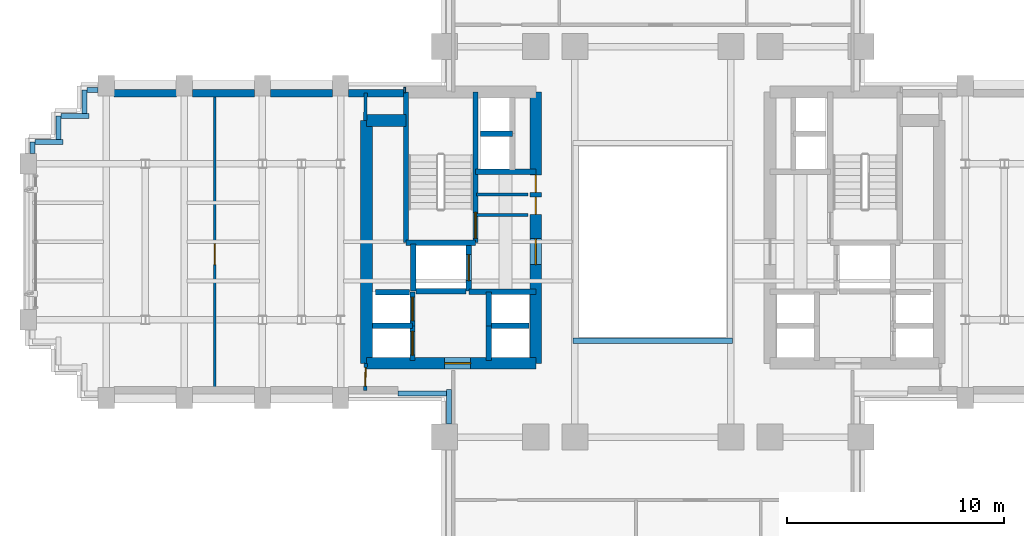
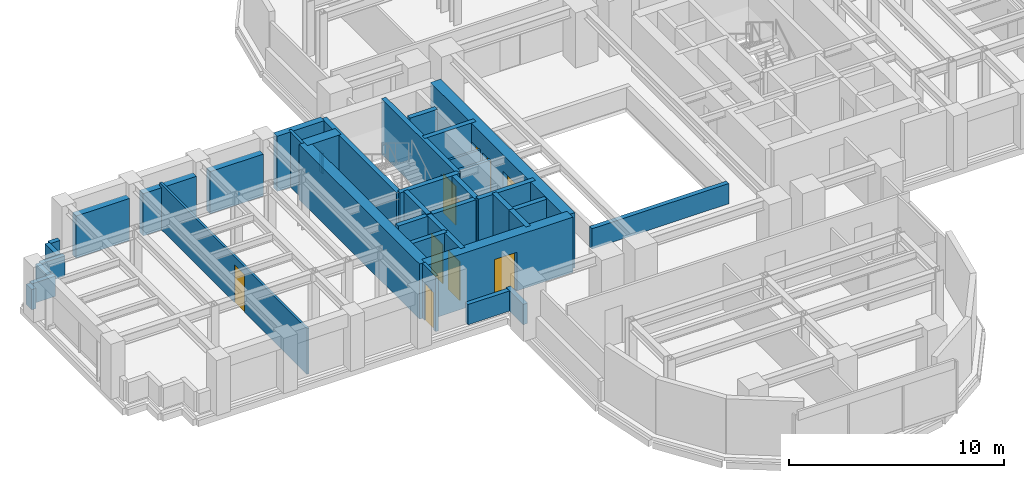
# One storey, part 10 of 16: 39 walls, 10 doors, 10 openings.
"""IFC4 building model written with IfcOpenShell, lengths in metres."""

import ifcopenshell
import ifcopenshell.guid

model = None  # the IFC model being written
_history = None  # IfcOwnerHistory: only IFC2X3 demands one
_inside = {}  # id of a spatial element -> (the spatial element, [elements in it])
_under = {}  # id of a project, library or spatial element -> (it, [spatial elements below it])
_declared = {}  # id of a project -> (the project, [libraries it declares])
_typed = {}  # id of a type object -> (the type object, [elements of that type])
_made_of = {}  # id of a material, layer set ... -> (it, [elements and type objects made of it])


def new_model(schema):
    """Start an empty IFC model of exactly this schema.

    Asked for "IFC4X3", IfcOpenShell would pick the latest addendum, in which some entities
    have other attributes; the version numbers below select the first issue.
    IFC2X3 requires an IfcOwnerHistory on every rooted entity: one is made here for all.
    """
    global model, _history
    if schema == "IFC4X3":
        model = ifcopenshell.file(schema_version=(4, 3, 0, 0))
    else:
        model = ifcopenshell.file(schema=schema)
    _inside.clear()
    _under.clear()
    _declared.clear()
    _typed.clear()
    _made_of.clear()
    _history = None
    if model.schema == "IFC2X3":
        org = make("IfcOrganization", Name="unknown")
        user = make(
            "IfcPersonAndOrganization",
            ThePerson=make("IfcPerson", FamilyName="unknown"),
            TheOrganization=org,
        )
        app = make(
            "IfcApplication",
            ApplicationDeveloper=org,
            Version="unknown",
            ApplicationFullName="unknown",
            ApplicationIdentifier="unknown",
        )
        _history = make(
            "IfcOwnerHistory",
            OwningUser=user,
            OwningApplication=app,
            ChangeAction="ADDED",
            CreationDate=0,
        )
    return model


def make(cls, **values):
    """One entity of the class cls with the attributes given. An attribute that is None is left unset."""
    return model.create_entity(
        cls, **{name: value for name, value in values.items() if value is not None}
    )


def rooted(cls, **values):
    """An entity with a GlobalId (a new one), such as an element, a storey or a relation."""
    return make(cls, GlobalId=ifcopenshell.guid.new(), OwnerHistory=_history, **values)


def si_unit(unit_type, name, prefix=None):
    """IfcSIUnit, for example si_unit("LENGTHUNIT", "METRE", prefix="MILLI")."""
    return make("IfcSIUnit", UnitType=unit_type, Prefix=prefix, Name=name)


def assignment(units):
    """IfcUnitAssignment: the units of a project."""
    return None if units is None else make("IfcUnitAssignment", Units=units)


def point(xyz):
    """IfcCartesianPoint."""
    return None if xyz is None else make("IfcCartesianPoint", Coordinates=xyz)


def direction(xyz):
    """IfcDirection."""
    return None if xyz is None else make("IfcDirection", DirectionRatios=xyz)


def frame(location, z_axis=None, x_axis=None):
    """IfcAxis2Placement3D, a coordinate frame: its origin and axes. An axis left out is left unset."""
    return make(
        "IfcAxis2Placement3D",
        Location=point(location),
        Axis=direction(z_axis),
        RefDirection=direction(x_axis),
    )


def frame_2d(location, x_axis=None):
    """IfcAxis2Placement2D, a coordinate frame in the plane: its origin and x axis."""
    return make(
        "IfcAxis2Placement2D", Location=point(location), RefDirection=direction(x_axis)
    )


def origin():
    """The frame at (0, 0, 0) with its axes left unset."""
    return frame((0.0, 0.0, 0.0))


def place(relative_to, where):
    """IfcLocalPlacement: puts the frame where relative to a parent placement (None: the world)."""
    return make(
        "IfcLocalPlacement", PlacementRelTo=relative_to, RelativePlacement=where
    )


def context(
    kind, dimensions, precision=None, world=None, true_north=None, identifier=None
):
    """IfcGeometricRepresentationContext, for example the 3D "Model" context."""
    return make(
        "IfcGeometricRepresentationContext",
        ContextIdentifier=identifier,
        ContextType=kind,
        CoordinateSpaceDimension=dimensions,
        Precision=precision,
        WorldCoordinateSystem=world,
        TrueNorth=true_north,
    )


def subcontext(parent, identifier, kind, view, scale=None):
    """IfcGeometricRepresentationSubContext, for example "Body" below "Model"."""
    return make(
        "IfcGeometricRepresentationSubContext",
        ContextIdentifier=identifier,
        ContextType=kind,
        ParentContext=parent,
        TargetScale=scale,
        TargetView=view,
    )


def project(units=None, contexts=None):
    """IfcProject with its units and contexts."""
    return rooted(
        "IfcProject",
        Name="project",
        RepresentationContexts=contexts,
        UnitsInContext=assignment(units),
    )


def spatial(cls, under=None, at=None, **own):
    """A site, building, storey or space (cls), placed at a placement, below another one or the project."""
    s = rooted(cls, ObjectPlacement=at, **own)
    if under is not None:
        _under.setdefault(under.id(), (under, []))[1].append(s)
    return s


def profile(cls, at=None, kind="AREA", **sizes):
    """A parametric profile (cls). Its sizes go by their IFC names, for example OverallWidth=200.0."""
    return make(cls, ProfileType=kind, Position=at, **sizes)


def rectangle(**sizes):
    """IfcRectangleProfileDef."""
    return profile("IfcRectangleProfileDef", **sizes)


def extrude(swept, where, along, depth):
    """IfcExtrudedAreaSolid: the profile swept, set in the frame where, extruded along a direction by depth."""
    return make(
        "IfcExtrudedAreaSolid",
        SweptArea=swept,
        Position=where,
        ExtrudedDirection=direction(along),
        Depth=depth,
    )


def shape(context_of_items, identifier, shape_type, items):
    """IfcShapeRepresentation: the items that make up one representation, for example the "Body"."""
    return make(
        "IfcShapeRepresentation",
        ContextOfItems=context_of_items,
        RepresentationIdentifier=identifier,
        RepresentationType=shape_type,
        Items=items,
    )


def source(mapping_origin, context_of_items, identifier, shape_type, items):
    """IfcRepresentationMap: a shape defined once, which mapped items show again and again."""
    return make(
        "IfcRepresentationMap",
        MappingOrigin=mapping_origin,
        MappedRepresentation=shape(context_of_items, identifier, shape_type, items),
    )


def transform(
    local_origin,
    x_axis=None,
    y_axis=None,
    z_axis=None,
    scale=None,
    scale2=None,
    scale3=None,
    uniform=True,
):
    """IfcCartesianTransformationOperator3D, or its non-uniform kind. x_axis, y_axis, z_axis: its Axis1, 2, 3."""
    if uniform:
        return make(
            "IfcCartesianTransformationOperator3D",
            Axis1=direction(x_axis),
            Axis2=direction(y_axis),
            LocalOrigin=point(local_origin),
            Scale=scale,
            Axis3=direction(z_axis),
        )
    return make(
        "IfcCartesianTransformationOperator3DnonUniform",
        Axis1=direction(x_axis),
        Axis2=direction(y_axis),
        LocalOrigin=point(local_origin),
        Scale=scale,
        Axis3=direction(z_axis),
        Scale2=scale2,
        Scale3=scale3,
    )


def mapped(mapping_source, mapping_target):
    """IfcMappedItem: shows the shape of a source again, moved by a transform."""
    return make(
        "IfcMappedItem", MappingSource=mapping_source, MappingTarget=mapping_target
    )


def material(Name=None, Category=None):
    """IfcMaterial."""
    return make("IfcMaterial", Name=Name, Category=Category)


def layer(
    of_material, thickness, ventilated=None, Name=None, Category=None, Priority=None
):
    """IfcMaterialLayer: one layer of a wall or slab, of a material (None: an air gap)."""
    return make(
        "IfcMaterialLayer",
        Material=of_material,
        LayerThickness=thickness,
        IsVentilated=ventilated,
        Name=Name,
        Category=Category,
        Priority=Priority,
    )


def layer_set(layers, Name=None):
    """IfcMaterialLayerSet."""
    return make("IfcMaterialLayerSet", MaterialLayers=layers, LayerSetName=Name)


def made_of(thing, what):
    """Note that an element or type object is made of a material, layer set ...; save() writes the relation."""
    if what is not None:
        _made_of.setdefault(what.id(), (what, []))[1].append(thing)
    return thing


def type_object(cls, material=None, **own):
    """A type object (cls), such as IfcWallType, which elements share."""
    return made_of(rooted(cls, **own), material)


def element(
    cls,
    number,
    at=None,
    inside=None,
    cuts=None,
    type_object=None,
    material=None,
    context=None,
    identifier="Body",
    shape_type=None,
    held_by="IfcProductDefinitionShape",
    body=None,
    shapes=None,
    **own,
):
    """One element of the class cls, such as IfcWall. Its Tag is "e" and its number.

    at: its placement. inside: the storey or other place that contains it. cuts: it is an
    opening in that element (IfcRelVoidsElement). A single representation is given by context,
    identifier, shape_type and body (its items); several are given by shapes. held_by: the class
    of the entity that holds the representations. save() writes the other relations.
    """
    e = rooted(cls, Tag="e%d" % number, ObjectPlacement=at, **own)
    if body is not None:
        shapes = [shape(context, identifier, shape_type, body)]
    if shapes is not None:
        e.Representation = make(held_by, Representations=shapes)
    if inside is not None:
        _inside.setdefault(inside.id(), (inside, []))[1].append(e)
    if cuts is not None:
        rooted(
            "IfcRelVoidsElement", RelatingBuildingElement=cuts, RelatedOpeningElement=e
        )
    if type_object is not None:
        _typed.setdefault(type_object.id(), (type_object, []))[1].append(e)
    return made_of(e, material)


def fill(opening, filler):
    """IfcRelFillsElement: the door or window that sits in an opening."""
    return rooted(
        "IfcRelFillsElement",
        RelatingOpeningElement=opening,
        RelatedBuildingElement=filler,
    )


def aggregate(whole, parts):
    """IfcRelAggregates: a whole, such as a stair, and the parts it consists of."""
    return rooted("IfcRelAggregates", RelatingObject=whole, RelatedObjects=parts)


def save(model, path):
    """Write the relations noted so far, then the file.

    IfcRelAggregates (storeys below a building ...), IfcRelContainedInSpatialStructure (elements
    in a storey), IfcRelDefinesByType, IfcRelAssociatesMaterial and IfcRelDeclares: one each for
    every whole, place, type object, material and project.
    """
    for whole, parts in _under.values():
        aggregate(whole, parts)
    for where, things in _inside.values():
        rooted(
            "IfcRelContainedInSpatialStructure",
            RelatedElements=things,
            RelatingStructure=where,
        )
    for kind, things in _typed.values():
        rooted("IfcRelDefinesByType", RelatedObjects=things, RelatingType=kind)
    for what, things in _made_of.values():
        rooted("IfcRelAssociatesMaterial", RelatedObjects=things, RelatingMaterial=what)
    for by, libraries in _declared.values():
        rooted("IfcRelDeclares", RelatingContext=by, RelatedDefinitions=libraries)
    model.write(path)


model = new_model("IFC4")

# Units and contexts
model_context = context("Model", 3, precision=1e-05, world=origin(), true_north=direction((0.0, 1.0)))
body_context = subcontext(model_context, "Body", "Model", "MODEL_VIEW")
ifc_project = project(units=[si_unit("LENGTHUNIT", "METRE"), si_unit("AREAUNIT", "SQUARE_METRE"), si_unit("VOLUMEUNIT", "CUBIC_METRE"), si_unit("PLANEANGLEUNIT", "RADIAN"), si_unit("MASSUNIT", "GRAM", prefix="KILO")], contexts=[model_context])

# Site, building, storey
site_placement = place(None, origin())
site = spatial("IfcSite", under=ifc_project, at=site_placement, CompositionType="ELEMENT")
building_placement = place(site_placement, origin())
building = spatial("IfcBuilding", under=site, at=building_placement, Name="Keilestroom Media Tower", CompositionType="ELEMENT")
storey_placement = place(building_placement, frame((0.0, 0.0, 85.0)))
storey = spatial("IfcBuildingStorey", under=building, at=storey_placement, Name="L22", CompositionType="ELEMENT", Elevation=85.0)

# Walls
ifc_material_1 = material(Name="Precast concrete C40/50", Category="concrete")
ifc_layer_1 = layer(ifc_material_1, 0.340087890625)
ifc_layer_set_1 = layer_set([ifc_layer_1], Name="Precast concrete C40/50")
wall_type_1 = type_object("IfcWallType", Name="Exterior-Masonry-Spandrel-Wall-340", PredefinedType="SOLIDWALL", material=ifc_layer_set_1)
for number, where, z_axis, x_axis, name in (
    (1, (-24.8330078125, 6.85009765625, 0.0), (0.0, 0.0, 1.0), (1.0, 0.0, 0.0), "L22 Flank Masonry Wall EWL-L22-NW-1"),
    (2, (-21.23291015625, 6.85009765625, 0.0), (0.0, 0.0, 1.0), (1.0, 0.0, 0.0), "L22 Flank Masonry Wall EWL-L22-NW-2"),
    (3, (-17.633056640625, 6.85009765625, 0.0), (0.0, 0.0, 1.0), (1.0, 0.0, 0.0), "L22 Flank Masonry Wall EWL-L22-NW-3"),
):
    element("IfcWall", number, at=place(storey_placement, frame(where, z_axis=z_axis, x_axis=x_axis)), inside=storey, type_object=wall_type_1, Name=name, PredefinedType="SOLIDWALL", context=body_context, shape_type="SweptSolid", body=[
        extrude(rectangle(XDim=2.865966796875, YDim=0.340087890625, at=frame_2d((1.43310546875, 0.0))), origin(), (0.0, 0.0, 1.0), 2.389892578125),
    ])
wall_1_placement = place(storey_placement, frame((-14.032958984375, 6.85009765625, 0.0), z_axis=(0.0, 0.0, 1.0), x_axis=(1.0, 0.0, 0.0)))
element("IfcWall", 4, at=wall_1_placement, inside=storey, type_object=wall_type_1, Name="L22 Flank Masonry Wall EWL-L22-NW-4", PredefinedType="SOLIDWALL", context=body_context, shape_type="SweptSolid", body=[
    extrude(rectangle(XDim=2.534912109375, YDim=0.340087890625, at=frame_2d((1.267578125, 0.0))), origin(), (0.0, 0.0, 1.0), 3.139892578125),
])
ifc_material_2 = material(Name="Gypsum Plasterboard & Steel Stud", Category="steel")
ifc_layer_2 = layer(ifc_material_2, 0.1201171875)
ifc_layer_set_2 = layer_set([ifc_layer_2], Name="Gypsum Plasterboard & Steel Stud")
wall_type_2 = type_object("IfcWallType", Name="Interior-Partition-Wall-120", PredefinedType="PARTITIONING", material=ifc_layer_set_2)
wall_2_placement = place(storey_placement, frame((-8.139892578125, 2.179931640625, 0.0), z_axis=(0.0, 0.0, 1.0), x_axis=(1.0, 0.0, 0.0)))
element("IfcWall", 5, at=wall_2_placement, inside=storey, type_object=wall_type_2, Name="L22 Interior Wall WP-L22-CNW-N", PredefinedType="PARTITIONING", context=body_context, shape_type="SweptSolid", body=[
    extrude(rectangle(XDim=2.389892578125, YDim=0.1201171875, at=frame_2d((1.19482421875, 0.0))), origin(), (0.0, 0.0, 1.0), 2.239990234375),
])

# Wall, opening, door
wall_3_placement = place(storey_placement, frame((-20.18994140625, -6.85009765625, 0.0), z_axis=(0.0, 0.0, 1.0), x_axis=(0.0, 1.0, 0.0)))
wall_3 = element("IfcWall", 6, at=wall_3_placement, inside=storey, type_object=wall_type_2, Name="L22 Interior Wall WP-L22-WA-V", PredefinedType="PARTITIONING", context=body_context, shape_type="SweptSolid", body=[
    extrude(rectangle(XDim=13.7001953125, YDim=0.1201171875, at=frame_2d((6.85009765625, 0.0))), origin(), (0.0, 0.0, 1.0), 2.590087890625),
])
opening_1_placement = place(wall_3_placement, frame((5.800048828125, 0.0, 0.0)))
opening_1 = element("IfcOpeningElement", 7, at=opening_1_placement, cuts=wall_3, Name="Opening DI-03", PredefinedType="OPENING", context=body_context, shape_type="SweptSolid", body=[
    extrude(rectangle(XDim=0.949951171875, YDim=2.14990234375, at=frame_2d((0.47509765625, 1.074951171875))), frame((0.0, 0.070068359375, 0.0), z_axis=(0.0, -1.0, 0.0), x_axis=(1.0, 0.0, 0.0)), (0.0, 0.0, 1.0), 0.14013671875),
])
ifc_material_3 = material(Name="Lacquered European Oak Leaf", Category="wood")
door_type_1 = type_object("IfcDoorType", Name="Interior-Room-And-Suite-Door-DI-03", OperationType="NOTDEFINED", PredefinedType="DOOR", material=ifc_material_3)
shared_shape_1 = source(origin(), body_context, "Body", "SweptSolid", [
    extrude(rectangle(XDim=0.949951171875, YDim=2.14990234375, at=frame_2d((0.47509765625, 1.074951171875))), frame((0.0, 0.02490234375, 0.0), z_axis=(0.0, -1.0, 0.0), x_axis=(1.0, 0.0, 0.0)), (0.0, 0.0, 1.0), 0.050048828125),
])
door_1_placement = place(opening_1_placement, origin())
door_1 = element("IfcDoor", 8, at=door_1_placement, inside=storey, type_object=door_type_1, Name="L22 Interior Door DI-L22-DWA-W", OperationType="SINGLE_SWING_LEFT", OverallHeight=2.14990234375, OverallWidth=0.949951171875, PredefinedType="DOOR", context=body_context, shape_type="MappedRepresentation", body=[
    mapped(shared_shape_1, transform((0.0, 0.0, 0.0), x_axis=(1.0, 0.0, 0.0), y_axis=(0.0, 1.0, 0.0), z_axis=(0.0, 0.0, 1.0), scale=1.0)),
])
fill(opening_1, door_1)

# Walls
ifc_layer_3 = layer(ifc_material_2, 0.14990234375)
ifc_layer_set_3 = layer_set([ifc_layer_3], Name="Gypsum Plasterboard & Steel Stud")
wall_type_3 = type_object("IfcWallType", Name="Interior-Partition-Wall-150", PredefinedType="PARTITIONING", material=ifc_layer_set_3)
wall_4_placement = place(storey_placement, frame((-8.139892578125, 1.239990234375, 0.0), z_axis=(0.0, 0.0, 1.0), x_axis=(1.0, 0.0, 0.0)))
element("IfcWall", 9, at=wall_4_placement, inside=storey, type_object=wall_type_3, Name="L22 Interior Wall WP-L22-FFW-TOP", PredefinedType="PARTITIONING", context=body_context, shape_type="SweptSolid", body=[
    extrude(rectangle(XDim=2.389892578125, YDim=0.14990234375, at=frame_2d((1.19482421875, 0.0))), origin(), (0.0, 0.0, 1.0), 2.239990234375),
])
wall_5_placement = place(storey_placement, frame((-13.260009765625, 5.60009765625, 0.0), z_axis=(0.0, 0.0, 1.0), x_axis=(0.016013571389, 0.999871774545, 0.0)))
element("IfcWall", 10, at=wall_5_placement, inside=storey, type_object=wall_type_3, Name="L22 Interior Wall WP-L22-WA-ENTN", PredefinedType="PARTITIONING", context=body_context, shape_type="SweptSolid", body=[
    extrude(rectangle(XDim=1.250244140625, YDim=0.14990234375, at=frame_2d((0.625, 0.0))), origin(), (0.0, 0.0, 1.0), 3.139892578125),
])

# Wall, opening, door
wall_6_placement = place(storey_placement, frame((-13.260009765625, -6.85009765625, 0.0), z_axis=(0.0, 0.0, 1.0), x_axis=(0.016013571389, 0.999871774545, 0.0)))
wall_6 = element("IfcWall", 11, at=wall_6_placement, inside=storey, type_object=wall_type_3, Name="L22 Interior Wall WP-L22-WA-ENTS", PredefinedType="PARTITIONING", context=body_context, shape_type="SweptSolid", body=[
    extrude(rectangle(XDim=1.250244140625, YDim=0.14990234375, at=frame_2d((0.625, 0.0))), origin(), (0.0, 0.0, 1.0), 3.139892578125),
])
opening_2_placement = place(wall_6_placement, frame((0.199951171875, 0.0, 0.0)))
opening_2 = element("IfcOpeningElement", 12, at=opening_2_placement, cuts=wall_6, Name="Opening DI-05", PredefinedType="OPENING", context=body_context, shape_type="SweptSolid", body=[
    extrude(rectangle(XDim=0.85009765625, YDim=2.10009765625, at=frame_2d((0.425048828125, 1.050048828125))), frame((0.0, 0.0849609375, 0.0), z_axis=(0.0, -1.0, 0.0), x_axis=(1.0, 0.0, 0.0)), (0.0, 0.0, 1.0), 0.169921875),
])
ifc_material_4 = material(Name="Moisture-Resistant Oak Leaf", Category="wood")
door_type_2 = type_object("IfcDoorType", Name="Interior-En-Suite-And-Cupboard-Door-DI-05", OperationType="NOTDEFINED", PredefinedType="DOOR", material=ifc_material_4)
shared_shape_2 = source(origin(), body_context, "Body", "SweptSolid", [
    extrude(rectangle(XDim=0.85009765625, YDim=2.10009765625, at=frame_2d((0.425048828125, 1.050048828125))), frame((0.0, 0.02490234375, 0.0), z_axis=(0.0, -1.0, 0.0), x_axis=(1.0, 0.0, 0.0)), (0.0, 0.0, 1.0), 0.050048828125),
])
door_2_placement = place(opening_2_placement, origin())
door_2 = element("IfcDoor", 13, at=door_2_placement, inside=storey, type_object=door_type_2, Name="L22 Interior Door DI-L22-DWA-E", OperationType="SINGLE_SWING_RIGHT", OverallHeight=2.10009765625, OverallWidth=0.85009765625, PredefinedType="DOOR", context=body_context, shape_type="MappedRepresentation", body=[
    mapped(shared_shape_2, transform((0.0, 0.0, 0.0), x_axis=(1.0, 0.0, 0.0), y_axis=(0.0, 1.0, 0.0), z_axis=(0.0, 0.0, 1.0), scale=1.0)),
])
fill(opening_2, door_2)

# Wall
ifc_material_5 = material(Name="Concrete C70/85", Category="concrete")
ifc_layer_4 = layer(ifc_material_5, 0.550048828125)
ifc_layer_set_4 = layer_set([ifc_layer_4], Name="Concrete C70/85")
wall_type_4 = type_object("IfcWallType", Name="Reinforced-Concrete-Core-Shear-Wall-550", PredefinedType="SHEAR", material=ifc_layer_set_4)
wall_7_placement = place(storey_placement, frame((-13.199951171875, -5.60009765625, 0.0), z_axis=(0.0, 0.0, 1.0), x_axis=(0.0, 1.0, 0.0)))
element("IfcWall", 14, at=wall_7_placement, inside=storey, type_object=wall_type_4, Name="L22 Core Shear Wall WL-L22-CORE-W-OUT", PredefinedType="SHEAR", context=body_context, shape_type="SweptSolid", body=[
    extrude(rectangle(XDim=11.2001953125, YDim=0.550048828125, at=frame_2d((5.60009765625, 0.0))), origin(), (0.0, 0.0, 1.0), 3.139892578125),
])

# Wall, openings, doors
wall_8_placement = place(storey_placement, frame((-5.39990234375, -5.60009765625, 0.0), z_axis=(0.0, 0.0, 1.0), x_axis=(0.0, 1.0, 0.0)))
wall_8 = element("IfcWall", 15, at=wall_8_placement, inside=storey, type_object=wall_type_4, Name="L22 Core Shear Wall WL-L22-CORE-W-IN", PredefinedType="SHEAR", context=body_context, shape_type="SweptSolid", body=[
    extrude(rectangle(XDim=12.5, YDim=0.550048828125, at=frame_2d((6.25, 0.0))), origin(), (0.0, 0.0, 1.0), 3.139892578125),
])
opening_3_placement = place(wall_8_placement, frame((4.550048828125, 0.0, 0.0)))
opening_3 = element("IfcOpeningElement", 16, at=opening_3_placement, cuts=wall_8, Name="Opening DI-02", PredefinedType="OPENING", context=body_context, shape_type="SweptSolid", body=[
    extrude(rectangle(XDim=1.199951171875, YDim=2.199951171875, at=frame_2d((0.60009765625, 1.10009765625))), frame((0.0, 0.28515625, 0.0), z_axis=(0.0, -1.0, 0.0), x_axis=(1.0, 0.0, 0.0)), (0.0, 0.0, 1.0), 0.570068359375),
])
opening_4_placement = place(wall_8_placement, frame((6.860107421875, 0.0, 0.0)))
opening_4 = element("IfcOpeningElement", 17, at=opening_4_placement, cuts=wall_8, Name="Opening DI-06", PredefinedType="OPENING", context=body_context, shape_type="SweptSolid", body=[
    extrude(rectangle(XDim=0.800048828125, YDim=2.10009765625, at=frame_2d((0.39990234375, 1.050048828125))), frame((0.0, 0.28515625, 0.0), z_axis=(0.0, -1.0, 0.0), x_axis=(1.0, 0.0, 0.0)), (0.0, 0.0, 1.0), 0.570068359375),
])
opening_5_placement = place(wall_8_placement, frame((7.8798828125, 0.0, 0.0)))
opening_5 = element("IfcOpeningElement", 18, at=opening_5_placement, cuts=wall_8, Name="Opening DI-06", PredefinedType="OPENING", context=body_context, shape_type="SweptSolid", body=[
    extrude(rectangle(XDim=0.800048828125, YDim=2.10009765625, at=frame_2d((0.39990234375, 1.050048828125))), frame((0.0, 0.28515625, 0.0), z_axis=(0.0, -1.0, 0.0), x_axis=(1.0, 0.0, 0.0)), (0.0, 0.0, 1.0), 0.570068359375),
])
ifc_material_6 = material(Name="Powder-Coated Steel Fire Leaf", Category="steel")
door_type_3 = type_object("IfcDoorType", Name="Interior-Compartment-Fire-Door-DI-02", OperationType="NOTDEFINED", PredefinedType="DOOR", material=ifc_material_6)
shared_shape_3 = source(origin(), body_context, "Body", "SweptSolid", [
    extrude(rectangle(XDim=1.199951171875, YDim=2.199951171875, at=frame_2d((0.60009765625, 1.10009765625))), frame((0.0, 0.02490234375, 0.0), z_axis=(0.0, -1.0, 0.0), x_axis=(1.0, 0.0, 0.0)), (0.0, 0.0, 1.0), 0.050048828125),
])
door_3_placement = place(opening_3_placement, origin())
door_3 = element("IfcDoor", 19, at=door_3_placement, inside=storey, type_object=door_type_3, Name="L22 W Firefighting Lobby Door", OperationType="SINGLE_SWING_RIGHT", OverallHeight=2.199951171875, OverallWidth=1.199951171875, PredefinedType="DOOR", context=body_context, shape_type="MappedRepresentation", body=[
    mapped(shared_shape_3, transform((0.0, 0.0, 0.0), x_axis=(1.0, 0.0, 0.0), y_axis=(0.0, 1.0, 0.0), z_axis=(0.0, 0.0, 1.0), scale=1.0)),
])
fill(opening_3, door_3)
ifc_material_7 = material(Name="Powder-Coated Steel Service Leaf", Category="steel")
door_type_4 = type_object("IfcDoorType", Name="Interior-Riser-Access-Door-DI-06", OperationType="NOTDEFINED", PredefinedType="DOOR", material=ifc_material_7)
shared_shape_4 = source(origin(), body_context, "Body", "SweptSolid", [
    extrude(rectangle(XDim=0.800048828125, YDim=2.10009765625, at=frame_2d((0.39990234375, 1.050048828125))), frame((0.0, 0.02490234375, 0.0), z_axis=(0.0, -1.0, 0.0), x_axis=(1.0, 0.0, 0.0)), (0.0, 0.0, 1.0), 0.050048828125),
])
door_4_placement = place(opening_4_placement, origin())
door_4 = element("IfcDoor", 20, at=door_4_placement, inside=storey, type_object=door_type_4, Name="L22 West Core Switchroom Door", OperationType="SINGLE_SWING_LEFT", OverallHeight=2.10009765625, OverallWidth=0.800048828125, PredefinedType="DOOR", context=body_context, shape_type="MappedRepresentation", body=[
    mapped(shared_shape_4, transform((0.0, 0.0, 0.0), x_axis=(1.0, 0.0, 0.0), y_axis=(0.0, 1.0, 0.0), z_axis=(0.0, 0.0, 1.0), scale=1.0)),
])
fill(opening_4, door_4)
door_5_placement = place(opening_5_placement, origin())
door_5 = element("IfcDoor", 21, at=door_5_placement, inside=storey, type_object=door_type_4, Name="L22 West Core Closet Door", OperationType="SINGLE_SWING_LEFT", OverallHeight=2.10009765625, OverallWidth=0.800048828125, PredefinedType="DOOR", context=body_context, shape_type="MappedRepresentation", body=[
    mapped(shared_shape_4, transform((0.0, 0.0, 0.0), x_axis=(1.0, 0.0, 0.0), y_axis=(0.0, 1.0, 0.0), z_axis=(0.0, 0.0, 1.0), scale=1.0)),
])
fill(opening_5, door_5)

# Wall
wall_9_placement = place(storey_placement, frame((-13.199951171875, 5.60009765625, 0.0), z_axis=(0.0, 0.0, 1.0), x_axis=(1.0, 0.0, 0.0)))
element("IfcWall", 22, at=wall_9_placement, inside=storey, type_object=wall_type_4, Name="L22 Core Shear Wall WL-L22-CNW-N", PredefinedType="SHEAR", context=body_context, shape_type="SweptSolid", body=[
    extrude(rectangle(XDim=1.81884765625, YDim=0.550048828125, at=frame_2d((0.909423828125, 0.0))), origin(), (0.0, 0.0, 1.0), 3.139892578125),
])

# Wall, opening, door
wall_10_placement = place(storey_placement, frame((-13.199951171875, -5.60009765625, 0.0), z_axis=(0.0, 0.0, 1.0), x_axis=(1.0, 0.0, 0.0)))
wall_10 = element("IfcWall", 23, at=wall_10_placement, inside=storey, type_object=wall_type_4, Name="L22 Core Shear Wall WL-L22-CORE-W-S", PredefinedType="SHEAR", context=body_context, shape_type="SweptSolid", body=[
    extrude(rectangle(XDim=7.800048828125, YDim=0.550048828125, at=frame_2d((3.89990234375, 0.0))), origin(), (0.0, 0.0, 1.0), 3.139892578125),
])
opening_6_placement = place(wall_10_placement, frame((3.60009765625, 0.0, 0.0)))
opening_6 = element("IfcOpeningElement", 24, at=opening_6_placement, cuts=wall_10, Name="Opening DI-02", PredefinedType="OPENING", context=body_context, shape_type="SweptSolid", body=[
    extrude(rectangle(XDim=1.199951171875, YDim=2.199951171875, at=frame_2d((0.60009765625, 1.10009765625))), frame((0.0, 0.28515625, 0.0), z_axis=(0.0, -1.0, 0.0), x_axis=(1.0, 0.0, 0.0)), (0.0, 0.0, 1.0), 0.570068359375),
])
door_6_placement = place(opening_6_placement, origin())
door_6 = element("IfcDoor", 25, at=door_6_placement, inside=storey, type_object=door_type_3, Name="L22 W Passenger Lift Lobby Door", OperationType="SINGLE_SWING_LEFT", OverallHeight=2.199951171875, OverallWidth=1.199951171875, PredefinedType="DOOR", context=body_context, shape_type="MappedRepresentation", body=[
    mapped(shared_shape_3, transform((0.0, 0.0, 0.0), x_axis=(1.0, 0.0, 0.0), y_axis=(0.0, 1.0, 0.0), z_axis=(0.0, 0.0, 1.0), scale=1.0)),
])
fill(opening_6, door_6)

# Walls
ifc_material_8 = material(Name="Concrete C50/60", Category="concrete")
ifc_layer_5 = layer(ifc_material_8, 0.25)
ifc_layer_set_5 = layer_set([ifc_layer_5], Name="Concrete C50/60")
wall_type_5 = type_object("IfcWallType", Name="Reinforced-Concrete-Shaft-Wall-250", PredefinedType="SOLIDWALL", material=ifc_layer_set_5)
wall_11_placement = place(storey_placement, frame((-8.179931640625, 3.219970703125, 0.0), z_axis=(0.0, 0.0, 1.0), x_axis=(1.0, 0.0, 0.0)))
element("IfcWall", 26, at=wall_11_placement, inside=storey, type_object=wall_type_5, Name="L22 Core Shear Wall WL-L22-CORE-W-FFN", PredefinedType="SOLIDWALL", context=body_context, shape_type="SweptSolid", body=[
    extrude(rectangle(XDim=2.780029296875, YDim=0.25, at=frame_2d((1.39013671875, 0.0))), origin(), (0.0, 0.0, 1.0), 3.139892578125),
])
wall_12_placement = place(storey_placement, frame((-8.47998046875, -2.300048828125, 0.0), z_axis=(0.0, 0.0, 1.0), x_axis=(1.0, 0.0, 0.0)))
element("IfcWall", 27, at=wall_12_placement, inside=storey, type_object=wall_type_5, Name="L22 Core Shear Wall WL-L22-CORE-W-FFS", PredefinedType="SOLIDWALL", context=body_context, shape_type="SweptSolid", body=[
    extrude(rectangle(XDim=3.080078125, YDim=0.25, at=frame_2d((1.5400390625, 0.0))), origin(), (0.0, 0.0, 1.0), 3.139892578125),
])

# Wall, opening, door
wall_13_placement = place(storey_placement, frame((-8.178955078125, -0.041015625, 0.0), z_axis=(0.0, 0.0, 1.0), x_axis=(0.0, 1.0, 0.0)))
wall_13 = element("IfcWall", 28, at=wall_13_placement, inside=storey, type_object=wall_type_5, Name="L22 Core Shear Wall WL-L22-STW-W-NEAR", PredefinedType="SOLIDWALL", context=body_context, shape_type="SweptSolid", body=[
    extrude(rectangle(XDim=6.94091796875, YDim=0.25, at=frame_2d((3.470458984375, 0.0))), origin(), (0.0, 0.0, 1.0), 3.139892578125),
])
opening_7_placement = place(wall_13_placement, frame((0.199951171875, 0.0, 0.0)))
opening_7 = element("IfcOpeningElement", 29, at=opening_7_placement, cuts=wall_13, Name="Opening DI-01S", PredefinedType="OPENING", context=body_context, shape_type="SweptSolid", body=[
    extrude(rectangle(XDim=1.199951171875, YDim=2.199951171875, at=frame_2d((0.60009765625, 1.10009765625))), frame((0.0, 0.135009765625, 0.0), z_axis=(0.0, -1.0, 0.0), x_axis=(1.0, 0.0, 0.0)), (0.0, 0.0, 1.0), 0.27001953125),
])
door_type_5 = type_object("IfcDoorType", Name="Interior-Stair-And-Core-Fire-Door-DI-01", OperationType="NOTDEFINED", PredefinedType="DOOR", material=ifc_material_6)
door_7_placement = place(opening_7_placement, origin())
door_7 = element("IfcDoor", 30, at=door_7_placement, inside=storey, type_object=door_type_5, Name="L22 Escape Stair ST-1 Fire Door", OperationType="SINGLE_SWING_LEFT", OverallHeight=2.199951171875, OverallWidth=1.199951171875, PredefinedType="DOOR", context=body_context, shape_type="MappedRepresentation", body=[
    mapped(shared_shape_3, transform((0.0, 0.0, 0.0), x_axis=(1.0, 0.0, 0.0), y_axis=(0.0, 1.0, 0.0), z_axis=(0.0, 0.0, 1.0), scale=1.0)),
])
fill(opening_7, door_7)

# Walls
wall_14_placement = place(storey_placement, frame((-11.381103515625, -0.041015625, 0.0), z_axis=(0.0, 0.0, 1.0), x_axis=(0.0, 1.0, 0.0)))
element("IfcWall", 31, at=wall_14_placement, inside=storey, type_object=wall_type_5, Name="L22 Core Shear Wall WL-L22-STW-W-FAR", PredefinedType="SOLIDWALL", context=body_context, shape_type="SweptSolid", body=[
    extrude(rectangle(XDim=6.94091796875, YDim=0.25, at=frame_2d((3.470458984375, 0.0))), origin(), (0.0, 0.0, 1.0), 3.139892578125),
])
wall_15_placement = place(storey_placement, frame((-11.381103515625, -0.041015625, 0.0), z_axis=(0.0, 0.0, 1.0), x_axis=(1.0, 0.0, 0.0)))
element("IfcWall", 32, at=wall_15_placement, inside=storey, type_object=wall_type_5, Name="L22 Core Shear Wall WL-L22-STW-W-S", PredefinedType="SOLIDWALL", context=body_context, shape_type="SweptSolid", body=[
    extrude(rectangle(XDim=3.2021484375, YDim=0.25, at=frame_2d((1.60107421875, 0.0))), origin(), (0.0, 0.0, 1.0), 3.139892578125),
])
wall_16_placement = place(storey_placement, frame((-11.050048828125, -2.280029296875, 0.0), z_axis=(0.0, 0.0, 1.0), x_axis=(0.0, 1.0, 0.0)))
element("IfcWall", 33, at=wall_16_placement, inside=storey, type_object=wall_type_5, Name="L22 Core Shear Wall WL-L22-LSH-FFL-1-W", PredefinedType="SOLIDWALL", context=body_context, shape_type="SweptSolid", body=[
    extrude(rectangle(XDim=2.179931640625, YDim=0.25, at=frame_2d((1.08984375, 0.0))), origin(), (0.0, 0.0, 1.0), 3.139892578125),
])

# Wall, opening, door
wall_17_placement = place(storey_placement, frame((-8.47998046875, -2.280029296875, 0.0), z_axis=(0.0, 0.0, 1.0), x_axis=(0.0, 1.0, 0.0)))
wall_17 = element("IfcWall", 34, at=wall_17_placement, inside=storey, type_object=wall_type_5, Name="L22 Core Shear Wall WL-L22-LSH-FFL-1-E", PredefinedType="SOLIDWALL", context=body_context, shape_type="SweptSolid", body=[
    extrude(rectangle(XDim=2.179931640625, YDim=0.25, at=frame_2d((1.08984375, 0.0))), origin(), (0.0, 0.0, 1.0), 3.139892578125),
])
opening_8_placement = place(wall_17_placement, frame((0.489990234375, 0.0, 0.0)))
opening_8 = element("IfcOpeningElement", 35, at=opening_8_placement, cuts=wall_17, Name="Opening LD-02", PredefinedType="OPENING", context=body_context, shape_type="SweptSolid", body=[
    extrude(rectangle(XDim=1.199951171875, YDim=2.199951171875, at=frame_2d((0.60009765625, 1.10009765625))), frame((0.0, 0.135009765625, 0.0), z_axis=(0.0, -1.0, 0.0), x_axis=(1.0, 0.0, 0.0)), (0.0, 0.0, 1.0), 0.27001953125),
])
ifc_material_9 = material(Name="Brushed Stainless Steel Sliding Leaf", Category="steel")
door_type_6 = type_object("IfcDoorType", Name="Lift-Landing-Sliding-Door-LD-02", OperationType="SLIDING_TO_RIGHT", PredefinedType="DOOR", material=ifc_material_9)
door_8_placement = place(opening_8_placement, origin())
door_8 = element("IfcDoor", 36, at=door_8_placement, inside=storey, type_object=door_type_6, Name="L22 Lift FFL-1 Landing Sliding Door", OperationType="SLIDING_TO_RIGHT", OverallHeight=2.199951171875, OverallWidth=1.199951171875, PredefinedType="DOOR", context=body_context, shape_type="MappedRepresentation", body=[
    mapped(shared_shape_3, transform((0.0, 0.0, 0.0), x_axis=(1.0, 0.0, 0.0), y_axis=(0.0, 1.0, 0.0), z_axis=(0.0, 0.0, 1.0), scale=1.0)),
])
fill(opening_8, door_8)

# Wall
wall_18_placement = place(storey_placement, frame((-10.9208984375, -2.280029296875, 0.0), z_axis=(0.0, 0.0, 1.0), x_axis=(1.0, 0.0, 0.0)))
element("IfcWall", 37, at=wall_18_placement, inside=storey, type_object=wall_type_5, Name="L22 Core Shear Wall WL-L22-LSH-FFL-1-S", PredefinedType="SOLIDWALL", context=body_context, shape_type="SweptSolid", body=[
    extrude(rectangle(XDim=2.31201171875, YDim=0.25, at=frame_2d((1.156005859375, 0.0))), origin(), (0.0, 0.0, 1.0), 3.139892578125),
])

# Wall, opening, door
wall_19_placement = place(storey_placement, frame((-11.080078125, -5.47998046875, 0.0), z_axis=(0.0, 0.0, 1.0), x_axis=(0.0, 1.0, 0.0)))
wall_19 = element("IfcWall", 38, at=wall_19_placement, inside=storey, type_object=wall_type_5, Name="L22 Core Shear Wall WL-L22-LSH-PL-L1-E", PredefinedType="SOLIDWALL", context=body_context, shape_type="SweptSolid", body=[
    extrude(rectangle(XDim=1.60009765625, YDim=0.25, at=frame_2d((0.800048828125, 0.0))), origin(), (0.0, 0.0, 1.0), 3.139892578125),
])
opening_9_placement = place(wall_19_placement, frame((0.25, 0.0, 0.0)))
opening_9 = element("IfcOpeningElement", 39, at=opening_9_placement, cuts=wall_19, Name="Opening LD-01", PredefinedType="OPENING", context=body_context, shape_type="SweptSolid", body=[
    extrude(rectangle(XDim=1.10009765625, YDim=2.199951171875, at=frame_2d((0.550048828125, 1.10009765625))), frame((0.0, 0.135009765625, 0.0), z_axis=(0.0, -1.0, 0.0), x_axis=(1.0, 0.0, 0.0)), (0.0, 0.0, 1.0), 0.27001953125),
])
door_type_7 = type_object("IfcDoorType", Name="Lift-Landing-Sliding-Door-LD-01", OperationType="SLIDING_TO_LEFT", PredefinedType="DOOR", material=ifc_material_9)
shared_shape_5 = source(origin(), body_context, "Body", "SweptSolid", [
    extrude(rectangle(XDim=1.10009765625, YDim=2.199951171875, at=frame_2d((0.550048828125, 1.10009765625))), frame((0.0, 0.02490234375, 0.0), z_axis=(0.0, -1.0, 0.0), x_axis=(1.0, 0.0, 0.0)), (0.0, 0.0, 1.0), 0.050048828125),
])
door_9_placement = place(opening_9_placement, origin())
door_9 = element("IfcDoor", 40, at=door_9_placement, inside=storey, type_object=door_type_7, Name="L22 Lift PL-L1 Landing Sliding Door", OperationType="SLIDING_TO_LEFT", OverallHeight=2.199951171875, OverallWidth=1.10009765625, PredefinedType="DOOR", context=body_context, shape_type="MappedRepresentation", body=[
    mapped(shared_shape_5, transform((0.0, 0.0, 0.0), x_axis=(1.0, 0.0, 0.0), y_axis=(0.0, 1.0, 0.0), z_axis=(0.0, 0.0, 1.0), scale=1.0)),
])
fill(opening_9, door_9)

# Wall
wall_20_placement = place(storey_placement, frame((-12.919921875, -3.8798828125, 0.0), z_axis=(0.0, 0.0, 1.0), x_axis=(1.0, 0.0, 0.0)))
element("IfcWall", 41, at=wall_20_placement, inside=storey, type_object=wall_type_5, Name="L22 Core Shear Wall WL-L22-LSH-PL-L1-N", PredefinedType="SOLIDWALL", context=body_context, shape_type="SweptSolid", body=[
    extrude(rectangle(XDim=1.83984375, YDim=0.25, at=frame_2d((0.919921875, 0.0))), origin(), (0.0, 0.0, 1.0), 3.139892578125),
])

# Wall, opening, door
wall_21_placement = place(storey_placement, frame((-11.080078125, -3.8798828125, 0.0), z_axis=(0.0, 0.0, 1.0), x_axis=(0.0, 1.0, 0.0)))
wall_21 = element("IfcWall", 42, at=wall_21_placement, inside=storey, type_object=wall_type_5, Name="L22 Core Shear Wall WL-L22-LSH-PL-L2-E", PredefinedType="SOLIDWALL", context=body_context, shape_type="SweptSolid", body=[
    extrude(rectangle(XDim=1.559814453125, YDim=0.25, at=frame_2d((0.77978515625, 0.0))), origin(), (0.0, 0.0, 1.0), 3.139892578125),
])
opening_10_placement = place(wall_21_placement, frame((0.22998046875, 0.0, 0.0)))
opening_10 = element("IfcOpeningElement", 43, at=opening_10_placement, cuts=wall_21, Name="Opening LD-01", PredefinedType="OPENING", context=body_context, shape_type="SweptSolid", body=[
    extrude(rectangle(XDim=1.10009765625, YDim=2.199951171875, at=frame_2d((0.550048828125, 1.10009765625))), frame((0.0, 0.135009765625, 0.0), z_axis=(0.0, -1.0, 0.0), x_axis=(1.0, 0.0, 0.0)), (0.0, 0.0, 1.0), 0.27001953125),
])
door_10_placement = place(opening_10_placement, origin())
door_10 = element("IfcDoor", 44, at=door_10_placement, inside=storey, type_object=door_type_7, Name="L22 Lift PL-L2 Landing Sliding Door", OperationType="SLIDING_TO_LEFT", OverallHeight=2.199951171875, OverallWidth=1.10009765625, PredefinedType="DOOR", context=body_context, shape_type="MappedRepresentation", body=[
    mapped(shared_shape_5, transform((0.0, 0.0, 0.0), x_axis=(1.0, 0.0, 0.0), y_axis=(0.0, 1.0, 0.0), z_axis=(0.0, 0.0, 1.0), scale=1.0)),
])
fill(opening_10, door_10)

# Walls
wall_22_placement = place(storey_placement, frame((-12.791015625, -2.320068359375, 0.0), z_axis=(0.0, 0.0, 1.0), x_axis=(1.0, 0.0, 0.0)))
element("IfcWall", 45, at=wall_22_placement, inside=storey, type_object=wall_type_5, Name="L22 Core Shear Wall WL-L22-LSH-PL-L2-N", PredefinedType="SOLIDWALL", context=body_context, shape_type="SweptSolid", body=[
    extrude(rectangle(XDim=1.58203125, YDim=0.25, at=frame_2d((0.791015625, 0.0))), origin(), (0.0, 0.0, 1.0), 3.139892578125),
])
wall_23_placement = place(storey_placement, frame((-7.56005859375, -5.47998046875, 0.0), z_axis=(0.0, 0.0, 1.0), x_axis=(0.0, 1.0, 0.0)))
element("IfcWall", 46, at=wall_23_placement, inside=storey, type_object=wall_type_5, Name="L22 Core Shear Wall WL-L22-LSH-PL-M1-W", PredefinedType="SOLIDWALL", context=body_context, shape_type="SweptSolid", body=[
    extrude(rectangle(XDim=1.60009765625, YDim=0.25, at=frame_2d((0.800048828125, 0.0))), origin(), (0.0, 0.0, 1.0), 3.139892578125),
])
wall_24_placement = place(storey_placement, frame((-7.56005859375, -3.8798828125, 0.0), z_axis=(0.0, 0.0, 1.0), x_axis=(1.0, 0.0, 0.0)))
element("IfcWall", 47, at=wall_24_placement, inside=storey, type_object=wall_type_5, Name="L22 Core Shear Wall WL-L22-LSH-PL-M1-N", PredefinedType="SOLIDWALL", context=body_context, shape_type="SweptSolid", body=[
    extrude(rectangle(XDim=1.840087890625, YDim=0.25, at=frame_2d((0.919921875, 0.0))), origin(), (0.0, 0.0, 1.0), 3.139892578125),
])
wall_25_placement = place(storey_placement, frame((-7.56005859375, -3.8798828125, 0.0), z_axis=(0.0, 0.0, 1.0), x_axis=(0.0, 1.0, 0.0)))
element("IfcWall", 48, at=wall_25_placement, inside=storey, type_object=wall_type_5, Name="L22 Core Shear Wall WL-L22-LSH-PL-M2-W", PredefinedType="SOLIDWALL", context=body_context, shape_type="SweptSolid", body=[
    extrude(rectangle(XDim=1.559814453125, YDim=0.25, at=frame_2d((0.77978515625, 0.0))), origin(), (0.0, 0.0, 1.0), 3.139892578125),
])
wall_26_placement = place(storey_placement, frame((-7.949951171875, 4.97998046875, 0.0), z_axis=(0.0, 0.0, 1.0), x_axis=(1.0, 0.0, 0.0)))
element("IfcWall", 49, at=wall_26_placement, inside=storey, type_object=wall_type_5, Name="L22 Core Shear Wall WL-L22-LSH-PL-H1-N", PredefinedType="SOLIDWALL", context=body_context, shape_type="SweptSolid", body=[
    extrude(rectangle(XDim=1.469970703125, YDim=0.25, at=frame_2d((0.73486328125, 0.0))), origin(), (0.0, 0.0, 1.0), 3.139892578125),
])
ifc_layer_6 = layer(ifc_material_1, 0.239990234375)
ifc_layer_set_6 = layer_set([ifc_layer_6], Name="Precast concrete C40/50")
wall_type_6 = type_object("IfcWallType", Name="Roof-And-Terrace-Parapet-Wall-240", PredefinedType="PARAPET", material=ifc_layer_set_6)
wall_27_placement = place(storey_placement, frame((-9.39990234375, -8.39697265625, 0.0), z_axis=(0.0, 0.0, 1.0), x_axis=(0.0, 1.0, 0.0)))
element("IfcWall", 50, at=wall_27_placement, inside=storey, type_object=wall_type_6, Name="L22 Perimeter Edge Parapet Wall 11", PredefinedType="PARAPET", context=body_context, shape_type="SweptSolid", body=[
    extrude(rectangle(XDim=1.596923828125, YDim=0.239990234375, at=frame_2d((0.79833984375, 0.0))), origin(), (0.0, 0.0, 1.0), 1.14990234375),
])
wall_28_placement = place(storey_placement, frame((-9.52294921875, -7.0, 0.0), z_axis=(0.0, 0.0, 1.0), x_axis=(-1.0, 0.0, 0.0)))
element("IfcWall", 51, at=wall_28_placement, inside=storey, type_object=wall_type_6, Name="L22 Perimeter Edge Parapet Wall 12", PredefinedType="PARAPET", context=body_context, shape_type="SweptSolid", body=[
    extrude(rectangle(XDim=2.22412109375, YDim=0.239990234375, at=frame_2d((1.112060546875, 0.0))), origin(), (0.0, 0.0, 1.0), 1.14990234375),
])
wall_29_placement = place(storey_placement, frame((-28.60009765625, 4.077880859375, 0.0), z_axis=(0.0, 0.0, 1.0), x_axis=(0.0, 1.0, 0.0)))
element("IfcWall", 52, at=wall_29_placement, inside=storey, type_object=wall_type_6, Name="L22 Perimeter Edge Parapet Wall 19", PredefinedType="PARAPET", context=body_context, shape_type="SweptSolid", body=[
    extrude(rectangle(XDim=0.522216796875, YDim=0.239990234375, at=frame_2d((0.26123046875, 0.0))), origin(), (0.0, 0.0, 1.0), 1.14990234375),
])
wall_30_placement = place(storey_placement, frame((-28.47705078125, 4.60009765625, 0.0), z_axis=(0.0, 0.0, 1.0), x_axis=(1.0, 0.0, 0.0)))
element("IfcWall", 53, at=wall_30_placement, inside=storey, type_object=wall_type_6, Name="L22 Perimeter Edge Parapet Wall 20", PredefinedType="PARAPET", context=body_context, shape_type="SweptSolid", body=[
    extrude(rectangle(XDim=1.277099609375, YDim=0.239990234375, at=frame_2d((0.638671875, 0.0))), origin(), (0.0, 0.0, 1.0), 1.14990234375),
])
wall_31_placement = place(storey_placement, frame((-27.39990234375, 4.722900390625, 0.0), z_axis=(0.0, 0.0, 1.0), x_axis=(0.0, 1.0, 0.0)))
element("IfcWall", 54, at=wall_31_placement, inside=storey, type_object=wall_type_6, Name="L22 Perimeter Edge Parapet Wall 21", PredefinedType="PARAPET", context=body_context, shape_type="SweptSolid", body=[
    extrude(rectangle(XDim=1.0771484375, YDim=0.239990234375, at=frame_2d((0.53857421875, 0.0))), origin(), (0.0, 0.0, 1.0), 1.14990234375),
])
wall_32_placement = place(storey_placement, frame((-27.277099609375, 5.800048828125, 0.0), z_axis=(0.0, 0.0, 1.0), x_axis=(1.0, 0.0, 0.0)))
element("IfcWall", 55, at=wall_32_placement, inside=storey, type_object=wall_type_6, Name="L22 Perimeter Edge Parapet Wall 22", PredefinedType="PARAPET", context=body_context, shape_type="SweptSolid", body=[
    extrude(rectangle(XDim=1.277099609375, YDim=0.239990234375, at=frame_2d((0.638671875, 0.0))), origin(), (0.0, 0.0, 1.0), 1.14990234375),
])
wall_33_placement = place(storey_placement, frame((-26.199951171875, 5.923095703125, 0.0), z_axis=(0.0, 0.0, 1.0), x_axis=(0.0, 1.0, 0.0)))
element("IfcWall", 56, at=wall_33_placement, inside=storey, type_object=wall_type_6, Name="L22 Perimeter Edge Parapet Wall 23", PredefinedType="PARAPET", context=body_context, shape_type="SweptSolid", body=[
    extrude(rectangle(XDim=1.076904296875, YDim=0.239990234375, at=frame_2d((0.53857421875, 0.0))), origin(), (0.0, 0.0, 1.0), 1.14990234375),
])
wall_34_placement = place(storey_placement, frame((-26.076904296875, 7.0, 0.0), z_axis=(0.0, 0.0, 1.0), x_axis=(1.0, 0.0, 0.0)))
element("IfcWall", 57, at=wall_34_placement, inside=storey, type_object=wall_type_6, Name="L22 Perimeter Edge Parapet Wall 24", PredefinedType="PARAPET", context=body_context, shape_type="SweptSolid", body=[
    extrude(rectangle(XDim=0.4990234375, YDim=0.239990234375, at=frame_2d((0.24951171875, 0.0))), origin(), (0.0, 0.0, 1.0), 1.14990234375),
])
wall_35_placement = place(storey_placement, frame((-11.4951171875, 7.0, 0.0), z_axis=(0.0, 0.0, 1.0), x_axis=(1.0, 0.0, 0.0)))
element("IfcWall", 58, at=wall_35_placement, inside=storey, type_object=wall_type_6, Name="L22 Perimeter Edge Parapet Wall 25", PredefinedType="PARAPET", context=body_context, shape_type="SweptSolid", body=[
    extrude(rectangle(XDim=0.092041015625, YDim=0.239990234375, at=frame_2d((0.0458984375, 0.0))), origin(), (0.0, 0.0, 1.0), 1.14990234375),
])
wall_36_placement = place(storey_placement, frame((-3.679931640625, -4.56005859375, 0.0), z_axis=(0.0, 0.0, 1.0), x_axis=(1.0, 0.0, 0.0)))
element("IfcWall", 59, at=wall_36_placement, inside=storey, type_object=wall_type_6, Name="L22 Central Atrium Guard Parapet S", PredefinedType="PARAPET", context=body_context, shape_type="SweptSolid", body=[
    extrude(rectangle(XDim=7.35986328125, YDim=0.239990234375, at=frame_2d((3.679931640625, 0.0))), origin(), (0.0, 0.0, 1.0), 1.14990234375),
])

save(model, "model.ifc")
